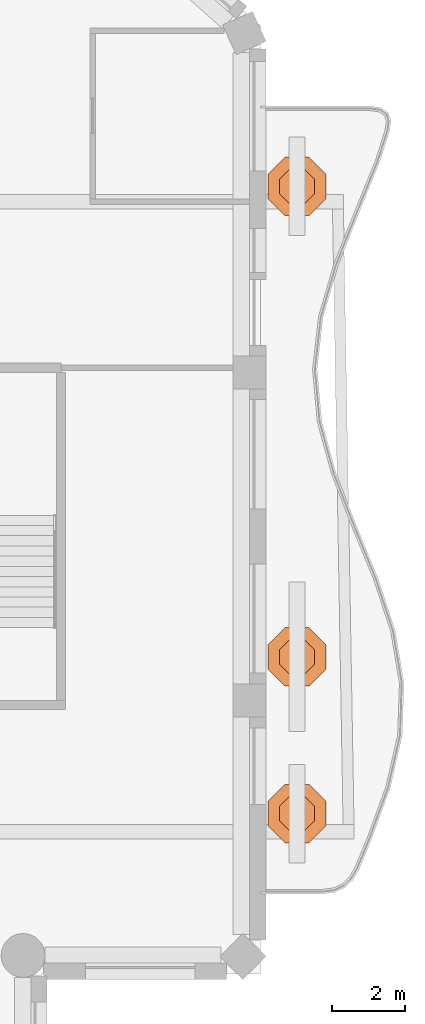
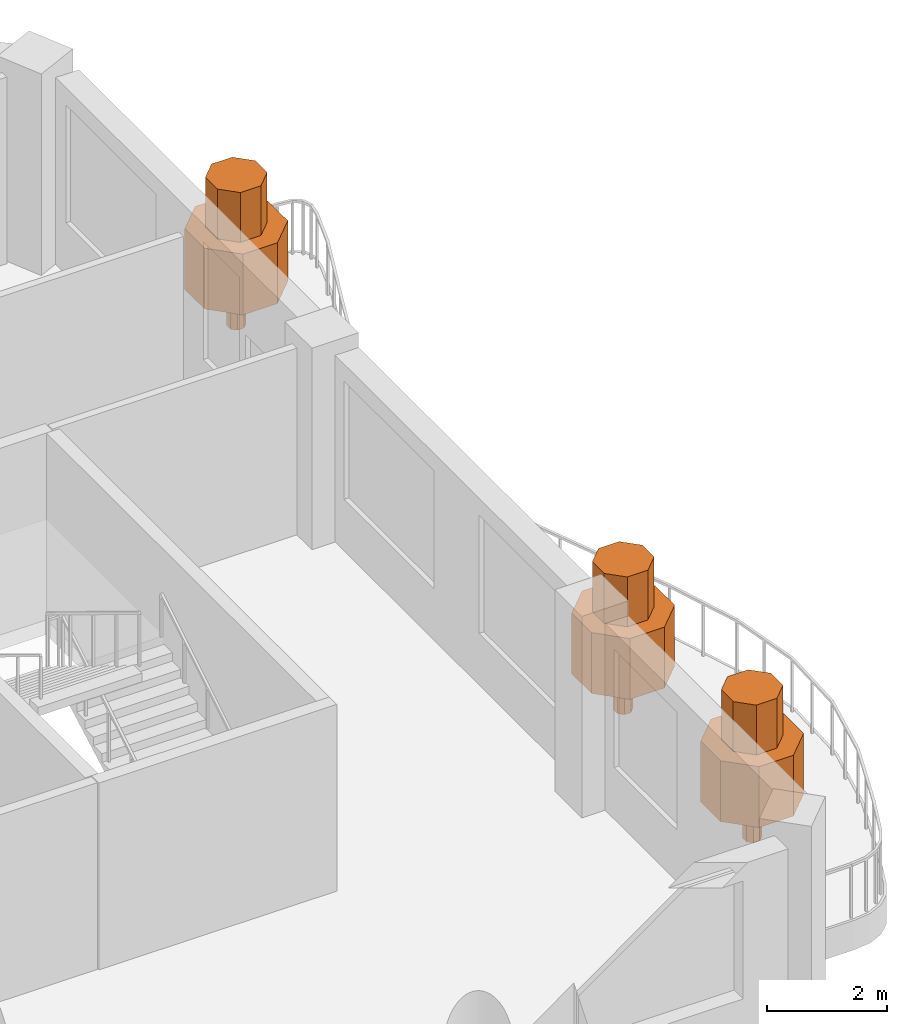
# One storey, part 15 of 15: 3 geographic elements.
"""IFC4 building model written with IfcOpenShell, lengths in metres."""

from ifc_helpers import new_model, si_unit, direction, frame, origin, place, context, subcontext, project, spatial, polyline, outline, extrude, material, type_object, element, save


model = new_model("IFC4")

# Units and contexts
model_context = context("Model", 3, precision=1e-05, world=origin(), true_north=direction((0.0, 1.0)))
body_context = subcontext(model_context, "Body", "Model", "MODEL_VIEW")
ifc_project = project(units=[si_unit("LENGTHUNIT", "METRE"), si_unit("AREAUNIT", "SQUARE_METRE"), si_unit("VOLUMEUNIT", "CUBIC_METRE"), si_unit("PLANEANGLEUNIT", "RADIAN"), si_unit("MASSUNIT", "GRAM", prefix="KILO")], contexts=[model_context])

# Site, building, storey
site_placement = place(None, origin())
site = spatial("IfcSite", under=ifc_project, at=site_placement, CompositionType="ELEMENT")
building_placement = place(site_placement, origin())
building = spatial("IfcBuilding", under=site, at=building_placement, Name="Cypress Arch Tower", CompositionType="ELEMENT")
storey_placement = place(building_placement, frame((0.0, 0.0, 313.10009765625)))
storey = spatial("IfcBuildingStorey", under=building, at=storey_placement, Name="L71", CompositionType="ELEMENT", Elevation=313.10009765625)

# Geographic elements
ifc_material = material(Name="Foliage and planting")
geographic_element_type = type_object("IfcGeographicElementType", Name="Balcony tree TR", PredefinedType="USERDEFINED", material=ifc_material)
for number, where, z_axis, x_axis, name in (
    (1, (25.60009765625, -7.60009765625, 0.599853515625), (0.0, 0.0, 1.0), (1.0, 0.0, 0.0), "Balcony tree L71-C17.1"),
    (2, (25.60009765625, -3.300048828125, 0.599853515625), (0.0, 0.0, 1.0), (1.0, 0.0, 0.0), "Balcony tree L71-C17.2"),
    (3, (25.60009765625, 9.60009765625, 0.599853515625), (0.0, 0.0, 1.0), (1.0, 0.0, 0.0), "Balcony tree L71-C17.3"),
):
    element("IfcGeographicElement", number, at=place(storey_placement, frame(where, z_axis=z_axis, x_axis=x_axis)), inside=storey, type_object=geographic_element_type, Name=name, ObjectType="TREE", PredefinedType="USERDEFINED", context=body_context, shape_type="SweptSolid", body=[
        extrude(outline(polyline([(0.14990234375, 0.06201171875), (0.06201171875, 0.14990234375), (-0.06201171875, 0.14990234375), (-0.14990234375, 0.06201171875), (-0.14990234375, -0.06201171875), (-0.06201171875, -0.14990234375), (0.06201171875, -0.14990234375), (0.14990234375, -0.06201171875), (0.14990234375, 0.06201171875)])), origin(), (0.0, 0.0, 1.0), 0.89990234375),
        extrude(outline(polyline([(0.800048828125, 0.331298828125), (0.331298828125, 0.800048828125), (-0.331298828125, 0.800048828125), (-0.800048828125, 0.331298828125), (-0.800048828125, -0.331298828125), (-0.331298828125, -0.800048828125), (0.331298828125, -0.800048828125), (0.800048828125, -0.331298828125), (0.800048828125, 0.331298828125)])), frame((0.0, 0.0, 0.800048828125)), (0.0, 0.0, 1.0), 1.237548828125),
        extrude(outline(polyline([(0.47998046875, 0.19873046875), (0.19873046875, 0.47998046875), (-0.19873046875, 0.47998046875), (-0.47998046875, 0.19873046875), (-0.47998046875, -0.19873046875), (-0.19873046875, -0.47998046875), (0.19873046875, -0.47998046875), (0.47998046875, -0.19873046875), (0.47998046875, 0.19873046875)])), frame((0.0, 0.0, 2.03759765625)), (0.0, 0.0, 1.0), 1.012451171875),
    ])

save(model, "model.ifc")
